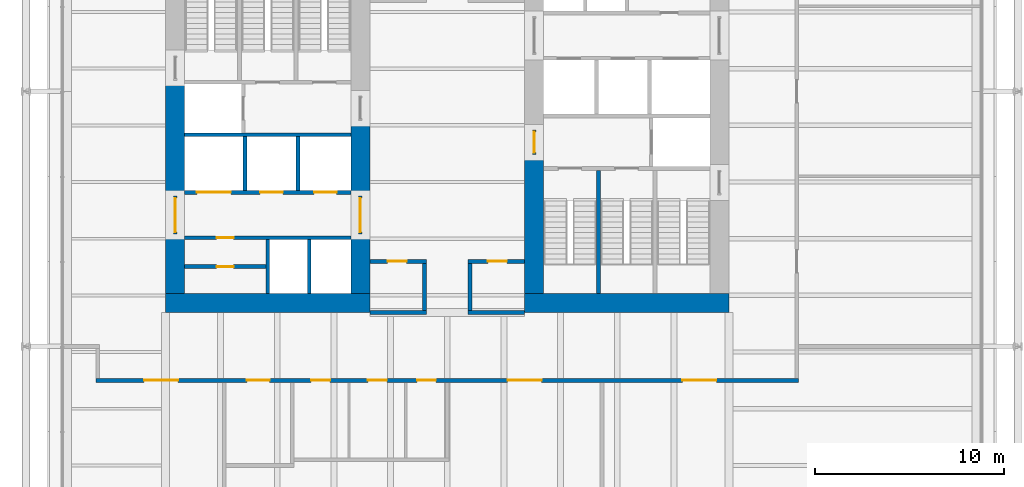
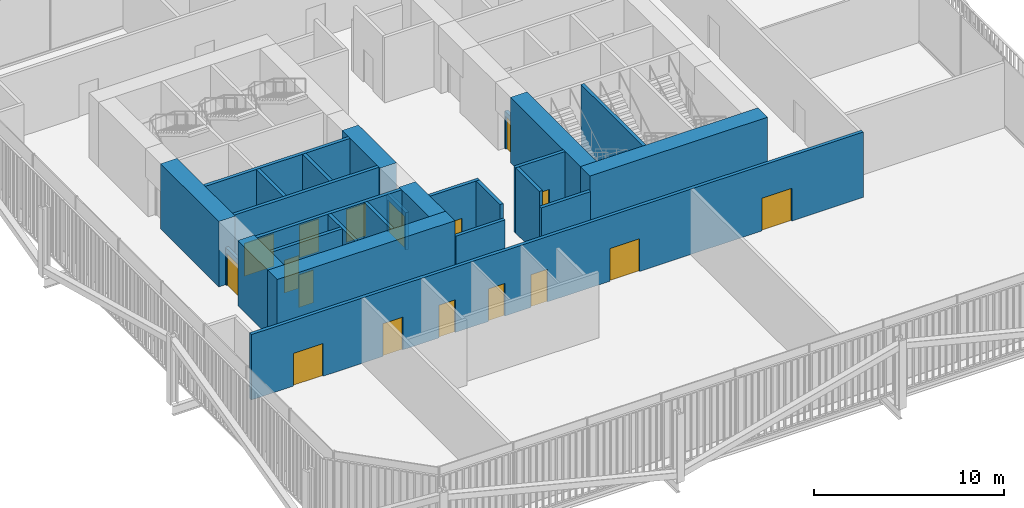
# One storey, part 17 of 21: 26 walls, 17 doors, 17 openings.
"""IFC4 building model written with IfcOpenShell, lengths in metres."""

from ifc_helpers import new_model, si_unit, direction, frame, frame_2d, origin, place, context, subcontext, project, spatial, rectangle, extrude, material, layer, layer_set, type_object, element, fill, save


model = new_model("IFC4")

# Units and contexts
model_context = context("Model", 3, precision=1e-05, world=origin(), true_north=direction((0.0, 1.0)))
body_context = subcontext(model_context, "Body", "Model", "MODEL_VIEW")
ifc_project = project(units=[si_unit("LENGTHUNIT", "METRE"), si_unit("AREAUNIT", "SQUARE_METRE"), si_unit("VOLUMEUNIT", "CUBIC_METRE"), si_unit("PLANEANGLEUNIT", "RADIAN"), si_unit("MASSUNIT", "GRAM", prefix="KILO")], contexts=[model_context])

# Site, building, storey
site_placement = place(None, origin())
site = spatial("IfcSite", under=ifc_project, at=site_placement, CompositionType="ELEMENT")
building_placement = place(site_placement, origin())
building = spatial("IfcBuilding", under=site, at=building_placement, Name="Millrace Tower", CompositionType="ELEMENT")
storey_placement = place(building_placement, frame((0.0, 0.0, 90.800048828125)))
storey = spatial("IfcBuildingStorey", under=building, at=storey_placement, Name="L20", CompositionType="ELEMENT", Elevation=90.800048828125)

# Walls
ifc_material_1 = material(Name="Concrete C80", Category="concrete")
ifc_layer_1 = layer(ifc_material_1, 1.0)
ifc_layer_set_1 = layer_set([ifc_layer_1], Name="Concrete C80")
wall_type_1 = type_object("IfcWallType", Name="Core wall 1000 Concrete C80", PredefinedType="SHEAR", material=ifc_layer_set_1)
wall_1_placement = place(storey_placement, frame((-14.89990234375, -9.39990234375, 0.0), z_axis=(0.0, 0.0, 1.0), x_axis=(1.0, 0.0, 0.0)))
element("IfcWall", 1, at=wall_1_placement, inside=storey, type_object=wall_type_1, Name="Core wall W L20", PredefinedType="SHEAR", context=body_context, shape_type="SweptSolid", body=[
    extrude(rectangle(XDim=10.7998046875, YDim=1.0, at=frame_2d((5.39990234375, 0.0))), origin(), (0.0, 0.0, 1.0), 4.199951171875),
])
wall_2_placement = place(storey_placement, frame((-14.39990234375, -8.89990234375, 0.0), z_axis=(0.0, 0.0, 1.0), x_axis=(0.0, 1.0, 0.0)))
element("IfcWall", 2, at=wall_2_placement, inside=storey, type_object=wall_type_1, Name="Core wall W L20", PredefinedType="SHEAR", context=body_context, shape_type="SweptSolid", body=[
    extrude(rectangle(XDim=3.14990234375, YDim=1.0, at=frame_2d((1.574951171875, 0.0))), origin(), (0.0, 0.0, 1.0), 4.199951171875),
])
wall_3_placement = place(storey_placement, frame((-14.39990234375, -3.75, 0.0), z_axis=(0.0, 0.0, 1.0), x_axis=(0.0, 1.0, 0.0)))
element("IfcWall", 3, at=wall_3_placement, inside=storey, type_object=wall_type_1, Name="Core wall W L20", PredefinedType="SHEAR", context=body_context, shape_type="SweptSolid", body=[
    extrude(rectangle(XDim=6.1298828125, YDim=1.0, at=frame_2d((3.06494140625, 0.0))), origin(), (0.0, 0.0, 1.0), 4.199951171875),
])
wall_4_placement = place(storey_placement, frame((-4.60009765625, -8.89990234375, 0.0), z_axis=(0.0, 0.0, 1.0), x_axis=(0.0, 1.0, 0.0)))
element("IfcWall", 4, at=wall_4_placement, inside=storey, type_object=wall_type_1, Name="Core wall W L20", PredefinedType="SHEAR", context=body_context, shape_type="SweptSolid", body=[
    extrude(rectangle(XDim=3.14990234375, YDim=1.0, at=frame_2d((1.574951171875, 0.0))), origin(), (0.0, 0.0, 1.0), 4.199951171875),
])
wall_5_placement = place(storey_placement, frame((-4.60009765625, -3.75, 0.0), z_axis=(0.0, 0.0, 1.0), x_axis=(0.0, 1.0, 0.0)))
element("IfcWall", 5, at=wall_5_placement, inside=storey, type_object=wall_type_1, Name="Core wall W L20", PredefinedType="SHEAR", context=body_context, shape_type="SweptSolid", body=[
    extrude(rectangle(XDim=4.0, YDim=1.0, at=frame_2d((2.0, 0.0))), origin(), (0.0, 0.0, 1.0), 4.199951171875),
])
wall_6_placement = place(storey_placement, frame((14.89990234375, -9.39990234375, 0.0), z_axis=(0.0, 0.0, 1.0), x_axis=(-1.0, 0.0, 0.0)))
element("IfcWall", 6, at=wall_6_placement, inside=storey, type_object=wall_type_1, Name="Core wall E L20", PredefinedType="SHEAR", context=body_context, shape_type="SweptSolid", body=[
    extrude(rectangle(XDim=10.7998046875, YDim=1.0, at=frame_2d((5.39990234375, 0.0))), origin(), (0.0, 0.0, 1.0), 4.199951171875),
])
wall_7_placement = place(storey_placement, frame((4.60009765625, -1.550048828125, 0.0), z_axis=(0.0, 0.0, 1.0), x_axis=(0.0, -1.0, 0.0)))
element("IfcWall", 7, at=wall_7_placement, inside=storey, type_object=wall_type_1, Name="Core wall E L20", PredefinedType="SHEAR", context=body_context, shape_type="SweptSolid", body=[
    extrude(rectangle(XDim=7.349853515625, YDim=1.0, at=frame_2d((3.6748046875, 0.0))), origin(), (0.0, 0.0, 1.0), 4.199951171875),
])

# Wall, openings, doors
ifc_material_2 = material(Name="Masonry partition, fire-rated", Category="masonry")
ifc_layer_2 = layer(ifc_material_2, 0.199951171875)
ifc_layer_set_2 = layer_set([ifc_layer_2], Name="Masonry partition, fire-rated")
wall_type_2 = type_object("IfcWallType", Name="Corridor wall 200", PredefinedType="PARTITIONING", material=ifc_layer_set_2)
wall_8_placement = place(storey_placement, frame((-18.60009765625, -13.5, 0.0), z_axis=(0.0, 0.0, 1.0), x_axis=(1.0, 0.0, 0.0)))
wall_8 = element("IfcWall", 8, at=wall_8_placement, inside=storey, type_object=wall_type_2, Name="Corridor wall L20", PredefinedType="PARTITIONING", context=body_context, shape_type="SweptSolid", body=[
    extrude(rectangle(XDim=37.2001953125, YDim=0.199951171875, at=frame_2d((18.60009765625, 0.0))), origin(), (0.0, 0.0, 1.0), 4.199951171875),
])
opening_1_placement = place(wall_8_placement, frame((2.550048828125, 0.0, 0.0)))
opening_1 = element("IfcOpeningElement", 9, at=opening_1_placement, cuts=wall_8, Name="Opening 20-P005", PredefinedType="OPENING", context=body_context, shape_type="SweptSolid", body=[
    extrude(rectangle(XDim=1.800048828125, YDim=2.10009765625, at=frame_2d((0.89990234375, 1.050048828125))), frame((0.0, 0.10986328125, 0.0), z_axis=(0.0, -1.0, 0.0), x_axis=(1.0, 0.0, 0.0)), (0.0, 0.0, 1.0), 0.219970703125),
])
opening_2_placement = place(wall_8_placement, frame((21.794921875, 0.0, 0.0)))
opening_2 = element("IfcOpeningElement", 10, at=opening_2_placement, cuts=wall_8, Name="Opening 20-P006", PredefinedType="OPENING", context=body_context, shape_type="SweptSolid", body=[
    extrude(rectangle(XDim=1.800048828125, YDim=2.10009765625, at=frame_2d((0.89990234375, 1.050048828125))), frame((0.0, 0.10986328125, 0.0), z_axis=(0.0, -1.0, 0.0), x_axis=(1.0, 0.0, 0.0)), (0.0, 0.0, 1.0), 0.219970703125),
])
opening_3_placement = place(wall_8_placement, frame((31.044921875, 0.0, 0.0)))
opening_3 = element("IfcOpeningElement", 11, at=opening_3_placement, cuts=wall_8, Name="Opening 20-P007", PredefinedType="OPENING", context=body_context, shape_type="SweptSolid", body=[
    extrude(rectangle(XDim=1.800048828125, YDim=2.10009765625, at=frame_2d((0.89990234375, 1.050048828125))), frame((0.0, 0.10986328125, 0.0), z_axis=(0.0, -1.0, 0.0), x_axis=(1.0, 0.0, 0.0)), (0.0, 0.0, 1.0), 0.219970703125),
])
opening_4_placement = place(wall_8_placement, frame((8.0, 0.0, 0.0)))
opening_4 = element("IfcOpeningElement", 12, at=opening_4_placement, cuts=wall_8, Name="Opening 20-P008", PredefinedType="OPENING", context=body_context, shape_type="SweptSolid", body=[
    extrude(rectangle(XDim=1.199951171875, YDim=2.10009765625, at=frame_2d((0.60009765625, 1.050048828125))), frame((0.0, 0.10986328125, 0.0), z_axis=(0.0, -1.0, 0.0), x_axis=(1.0, 0.0, 0.0)), (0.0, 0.0, 1.0), 0.219970703125),
])
opening_5_placement = place(wall_8_placement, frame((11.39990234375, 0.0, 0.0)))
opening_5 = element("IfcOpeningElement", 13, at=opening_5_placement, cuts=wall_8, Name="Opening 20-P016", PredefinedType="OPENING", context=body_context, shape_type="SweptSolid", body=[
    extrude(rectangle(XDim=1.0, YDim=2.10009765625, at=frame_2d((0.5, 1.050048828125))), frame((0.0, 0.10986328125, 0.0), z_axis=(0.0, -1.0, 0.0), x_axis=(1.0, 0.0, 0.0)), (0.0, 0.0, 1.0), 0.219970703125),
])
opening_6_placement = place(wall_8_placement, frame((14.39990234375, 0.0, 0.0)))
opening_6 = element("IfcOpeningElement", 14, at=opening_6_placement, cuts=wall_8, Name="Opening 20-P017", PredefinedType="OPENING", context=body_context, shape_type="SweptSolid", body=[
    extrude(rectangle(XDim=1.0, YDim=2.10009765625, at=frame_2d((0.5, 1.050048828125))), frame((0.0, 0.10986328125, 0.0), z_axis=(0.0, -1.0, 0.0), x_axis=(1.0, 0.0, 0.0)), (0.0, 0.0, 1.0), 0.219970703125),
])
opening_7_placement = place(wall_8_placement, frame((17.0, 0.0, 0.0)))
opening_7 = element("IfcOpeningElement", 15, at=opening_7_placement, cuts=wall_8, Name="Opening 20-P018", PredefinedType="OPENING", context=body_context, shape_type="SweptSolid", body=[
    extrude(rectangle(XDim=1.0, YDim=2.10009765625, at=frame_2d((0.5, 1.050048828125))), frame((0.0, 0.10986328125, 0.0), z_axis=(0.0, -1.0, 0.0), x_axis=(1.0, 0.0, 0.0)), (0.0, 0.0, 1.0), 0.219970703125),
])
ifc_material_3 = material(Name="Steel door set, fire-rated", Category="steel")
door_type_1 = type_object("IfcDoorType", Name="Corridor door 1000 x 2100", OperationType="SINGLE_SWING_LEFT", PredefinedType="DOOR", material=ifc_material_3)
door_1_placement = place(opening_5_placement, frame((1.0, 0.0, 0.0), z_axis=(0.0, 0.0, 1.0), x_axis=(-1.0, 0.0, 0.0)))
door_1 = element("IfcDoor", 16, at=door_1_placement, inside=storey, type_object=door_type_1, Name="Door 20-P016", OperationType="SINGLE_SWING_RIGHT", OverallHeight=2.10009765625, OverallWidth=1.0, PredefinedType="DOOR", context=body_context, shape_type="SweptSolid", body=[
    extrude(rectangle(XDim=1.0, YDim=2.10009765625, at=frame_2d((0.5, 1.050048828125))), frame((0.0, 0.02490234375, 0.0), z_axis=(0.0, -1.0, 0.0), x_axis=(1.0, 0.0, 0.0)), (0.0, 0.0, 1.0), 0.050048828125),
])
fill(opening_5, door_1)
door_2_placement = place(opening_6_placement, frame((1.0, 0.0, 0.0), z_axis=(0.0, 0.0, 1.0), x_axis=(-1.0, 0.0, 0.0)))
door_2 = element("IfcDoor", 17, at=door_2_placement, inside=storey, type_object=door_type_1, Name="Door 20-P017", OperationType="SINGLE_SWING_RIGHT", OverallHeight=2.10009765625, OverallWidth=1.0, PredefinedType="DOOR", context=body_context, shape_type="SweptSolid", body=[
    extrude(rectangle(XDim=1.0, YDim=2.10009765625, at=frame_2d((0.5, 1.050048828125))), frame((0.0, 0.02490234375, 0.0), z_axis=(0.0, -1.0, 0.0), x_axis=(1.0, 0.0, 0.0)), (0.0, 0.0, 1.0), 0.050048828125),
])
fill(opening_6, door_2)
door_3_placement = place(opening_7_placement, frame((1.0, 0.0, 0.0), z_axis=(0.0, 0.0, 1.0), x_axis=(-1.0, 0.0, 0.0)))
door_3 = element("IfcDoor", 18, at=door_3_placement, inside=storey, type_object=door_type_1, Name="Door 20-P018", OperationType="SINGLE_SWING_RIGHT", OverallHeight=2.10009765625, OverallWidth=1.0, PredefinedType="DOOR", context=body_context, shape_type="SweptSolid", body=[
    extrude(rectangle(XDim=1.0, YDim=2.10009765625, at=frame_2d((0.5, 1.050048828125))), frame((0.0, 0.02490234375, 0.0), z_axis=(0.0, -1.0, 0.0), x_axis=(1.0, 0.0, 0.0)), (0.0, 0.0, 1.0), 0.050048828125),
])
fill(opening_7, door_3)
ifc_material_4 = material(Name="Steel door set, fire-rated", Category="steel")
door_type_2 = type_object("IfcDoorType", Name="Data hall door 1200 x 2100", OperationType="SINGLE_SWING_LEFT", PredefinedType="DOOR", material=ifc_material_4)
door_4_placement = place(opening_4_placement, frame((1.199951171875, 0.0, 0.0), z_axis=(0.0, 0.0, 1.0), x_axis=(-1.0, 0.0, 0.0)))
door_4 = element("IfcDoor", 19, at=door_4_placement, inside=storey, type_object=door_type_2, Name="Door 20-P008", OperationType="SINGLE_SWING_RIGHT", OverallHeight=2.10009765625, OverallWidth=1.199951171875, PredefinedType="DOOR", context=body_context, shape_type="SweptSolid", body=[
    extrude(rectangle(XDim=1.199951171875, YDim=2.10009765625, at=frame_2d((0.60009765625, 1.050048828125))), frame((0.0, 0.02490234375, 0.0), z_axis=(0.0, -1.0, 0.0), x_axis=(1.0, 0.0, 0.0)), (0.0, 0.0, 1.0), 0.050048828125),
])
fill(opening_4, door_4)
ifc_material_5 = material(Name="Steel door set, fire-rated", Category="steel")
door_type_3 = type_object("IfcDoorType", Name="Data hall door 1800 x 2100", OperationType="DOUBLE_DOOR_SINGLE_SWING", PredefinedType="DOOR", material=ifc_material_5)
door_5_placement = place(opening_1_placement, frame((1.800048828125, 0.0, 0.0), z_axis=(0.0, 0.0, 1.0), x_axis=(-1.0, 0.0, 0.0)))
door_5 = element("IfcDoor", 20, at=door_5_placement, inside=storey, type_object=door_type_3, Name="Door 20-P005", OperationType="DOUBLE_DOOR_SINGLE_SWING", OverallHeight=2.10009765625, OverallWidth=1.800048828125, PredefinedType="DOOR", context=body_context, shape_type="SweptSolid", body=[
    extrude(rectangle(XDim=1.800048828125, YDim=2.10009765625, at=frame_2d((0.89990234375, 1.050048828125))), frame((0.0, 0.02490234375, 0.0), z_axis=(0.0, -1.0, 0.0), x_axis=(1.0, 0.0, 0.0)), (0.0, 0.0, 1.0), 0.050048828125),
])
fill(opening_1, door_5)
door_6_placement = place(opening_2_placement, frame((1.800048828125, 0.0, 0.0), z_axis=(0.0, 0.0, 1.0), x_axis=(-1.0, 0.0, 0.0)))
door_6 = element("IfcDoor", 21, at=door_6_placement, inside=storey, type_object=door_type_3, Name="Door 20-P006", OperationType="DOUBLE_DOOR_SINGLE_SWING", OverallHeight=2.10009765625, OverallWidth=1.800048828125, PredefinedType="DOOR", context=body_context, shape_type="SweptSolid", body=[
    extrude(rectangle(XDim=1.800048828125, YDim=2.10009765625, at=frame_2d((0.89990234375, 1.050048828125))), frame((0.0, 0.02490234375, 0.0), z_axis=(0.0, -1.0, 0.0), x_axis=(1.0, 0.0, 0.0)), (0.0, 0.0, 1.0), 0.050048828125),
])
fill(opening_2, door_6)
door_7_placement = place(opening_3_placement, frame((1.800048828125, 0.0, 0.0), z_axis=(0.0, 0.0, 1.0), x_axis=(-1.0, 0.0, 0.0)))
door_7 = element("IfcDoor", 22, at=door_7_placement, inside=storey, type_object=door_type_3, Name="Door 20-P007", OperationType="DOUBLE_DOOR_SINGLE_SWING", OverallHeight=2.10009765625, OverallWidth=1.800048828125, PredefinedType="DOOR", context=body_context, shape_type="SweptSolid", body=[
    extrude(rectangle(XDim=1.800048828125, YDim=2.10009765625, at=frame_2d((0.89990234375, 1.050048828125))), frame((0.0, 0.02490234375, 0.0), z_axis=(0.0, -1.0, 0.0), x_axis=(1.0, 0.0, 0.0)), (0.0, 0.0, 1.0), 0.050048828125),
])
fill(opening_3, door_7)

# Walls
for number, where, z_axis, x_axis, name in (
    (23, (-4.10009765625, -9.89990234375, 0.0), (0.0, 0.0, 1.0), (1.0, 0.0, 0.0), "Corridor wall L20"),
    (24, (1.10009765625, -9.89990234375, 0.0), (0.0, 0.0, 1.0), (1.0, 0.0, 0.0), "Corridor wall L20"),
):
    element("IfcWall", number, at=place(storey_placement, frame(where, z_axis=z_axis, x_axis=x_axis)), inside=storey, type_object=wall_type_2, Name=name, PredefinedType="PARTITIONING", context=body_context, shape_type="SweptSolid", body=[
        extrude(rectangle(XDim=3.0, YDim=0.199951171875, at=frame_2d((1.5, 0.0))), origin(), (0.0, 0.0, 1.0), 3.2626953125),
    ])

# Wall, opening, door
wall_9_placement = place(storey_placement, frame((-4.10009765625, -7.199951171875, 0.0), z_axis=(0.0, 0.0, 1.0), x_axis=(1.0, 0.0, 0.0)))
wall_9 = element("IfcWall", 25, at=wall_9_placement, inside=storey, type_object=wall_type_2, Name="Corridor wall L20", PredefinedType="PARTITIONING", context=body_context, shape_type="SweptSolid", body=[
    extrude(rectangle(XDim=3.0, YDim=0.199951171875, at=frame_2d((1.5, 0.0))), origin(), (0.0, 0.0, 1.0), 4.199951171875),
])
opening_8_placement = place(wall_9_placement, frame((0.949951171875, 0.0, 0.0)))
opening_8 = element("IfcOpeningElement", 26, at=opening_8_placement, cuts=wall_9, Name="Opening 20-P003", PredefinedType="OPENING", context=body_context, shape_type="SweptSolid", body=[
    extrude(rectangle(XDim=1.0, YDim=2.10009765625, at=frame_2d((0.5, 1.050048828125))), frame((0.0, 0.10986328125, 0.0), z_axis=(0.0, -1.0, 0.0), x_axis=(1.0, 0.0, 0.0)), (0.0, 0.0, 1.0), 0.219970703125),
])
door_8_placement = place(opening_8_placement, frame((1.0, 0.0, 0.0), z_axis=(0.0, 0.0, 1.0), x_axis=(-1.0, 0.0, 0.0)))
door_8 = element("IfcDoor", 27, at=door_8_placement, inside=storey, type_object=door_type_1, Name="Door 20-P003", OperationType="SINGLE_SWING_LEFT", OverallHeight=2.10009765625, OverallWidth=1.0, PredefinedType="DOOR", context=body_context, shape_type="SweptSolid", body=[
    extrude(rectangle(XDim=1.0, YDim=2.10009765625, at=frame_2d((0.5, 1.050048828125))), frame((0.0, 0.02490234375, 0.0), z_axis=(0.0, -1.0, 0.0), x_axis=(1.0, 0.0, 0.0)), (0.0, 0.0, 1.0), 0.050048828125),
])
fill(opening_8, door_8)

wall_10_placement = place(storey_placement, frame((1.10009765625, -7.199951171875, 0.0), z_axis=(0.0, 0.0, 1.0), x_axis=(1.0, 0.0, 0.0)))
wall_10 = element("IfcWall", 28, at=wall_10_placement, inside=storey, type_object=wall_type_2, Name="Corridor wall L20", PredefinedType="PARTITIONING", context=body_context, shape_type="SweptSolid", body=[
    extrude(rectangle(XDim=3.0, YDim=0.199951171875, at=frame_2d((1.5, 0.0))), origin(), (0.0, 0.0, 1.0), 4.199951171875),
])
opening_9_placement = place(wall_10_placement, frame((1.050048828125, 0.0, 0.0)))
opening_9 = element("IfcOpeningElement", 29, at=opening_9_placement, cuts=wall_10, Name="Opening 20-P004", PredefinedType="OPENING", context=body_context, shape_type="SweptSolid", body=[
    extrude(rectangle(XDim=1.0, YDim=2.10009765625, at=frame_2d((0.5, 1.050048828125))), frame((0.0, 0.10986328125, 0.0), z_axis=(0.0, -1.0, 0.0), x_axis=(1.0, 0.0, 0.0)), (0.0, 0.0, 1.0), 0.219970703125),
])
door_9_placement = place(opening_9_placement, frame((1.0, 0.0, 0.0), z_axis=(0.0, 0.0, 1.0), x_axis=(-1.0, 0.0, 0.0)))
door_9 = element("IfcDoor", 30, at=door_9_placement, inside=storey, type_object=door_type_1, Name="Door 20-P004", OperationType="SINGLE_SWING_LEFT", OverallHeight=2.10009765625, OverallWidth=1.0, PredefinedType="DOOR", context=body_context, shape_type="SweptSolid", body=[
    extrude(rectangle(XDim=1.0, YDim=2.10009765625, at=frame_2d((0.5, 1.050048828125))), frame((0.0, 0.02490234375, 0.0), z_axis=(0.0, -1.0, 0.0), x_axis=(1.0, 0.0, 0.0)), (0.0, 0.0, 1.0), 0.050048828125),
])
fill(opening_9, door_9)

# Walls
for number, where, z_axis, x_axis, name in (
    (31, (1.199951171875, -9.800048828125, 0.0), (0.0, 0.0, 1.0), (0.0, 1.0, 0.0), "Corridor wall L20"),
    (32, (-1.199951171875, -9.800048828125, 0.0), (0.0, 0.0, 1.0), (0.0, 1.0, 0.0), "Corridor wall L20"),
):
    element("IfcWall", number, at=place(storey_placement, frame(where, z_axis=z_axis, x_axis=x_axis)), inside=storey, type_object=wall_type_2, Name=name, PredefinedType="PARTITIONING", context=body_context, shape_type="SweptSolid", body=[
        extrude(rectangle(XDim=2.5, YDim=0.199951171875, at=frame_2d((1.25, 0.0))), origin(), (0.0, 0.0, 1.0), 4.199951171875),
    ])

# Wall, opening, door
ifc_material_6 = material(Name="Masonry partition, fire-rated", Category="masonry")
ifc_layer_3 = layer(ifc_material_6, 0.199951171875)
ifc_layer_set_3 = layer_set([ifc_layer_3], Name="Masonry partition, fire-rated")
wall_type_3 = type_object("IfcWallType", Name="Lift shaft wall 200", PredefinedType="PARTITIONING", material=ifc_layer_set_3)
wall_11_placement = place(storey_placement, frame((-13.89990234375, -5.949951171875, 0.0), z_axis=(0.0, 0.0, 1.0), x_axis=(1.0, 0.0, 0.0)))
wall_11 = element("IfcWall", 33, at=wall_11_placement, inside=storey, type_object=wall_type_3, Name="Lift shaft wall W L20", PredefinedType="PARTITIONING", context=body_context, shape_type="SweptSolid", body=[
    extrude(rectangle(XDim=8.7998046875, YDim=0.199951171875, at=frame_2d((4.39990234375, 0.0))), origin(), (0.0, 0.0, 1.0), 4.199951171875),
])
opening_10_placement = place(wall_11_placement, frame((1.699951171875, 0.0, 0.0)))
opening_10 = element("IfcOpeningElement", 34, at=opening_10_placement, cuts=wall_11, Name="Opening 20-C005", PredefinedType="OPENING", context=body_context, shape_type="SweptSolid", body=[
    extrude(rectangle(XDim=0.89990234375, YDim=2.10009765625, at=frame_2d((0.449951171875, 1.050048828125))), frame((0.0, 0.10986328125, 0.0), z_axis=(0.0, -1.0, 0.0), x_axis=(1.0, 0.0, 0.0)), (0.0, 0.0, 1.0), 0.219970703125),
])
ifc_material_7 = material(Name="Steel door, fire-rated", Category="steel")
door_type_4 = type_object("IfcDoorType", Name="Service room door 900 x 2100", OperationType="SINGLE_SWING_LEFT", PredefinedType="DOOR", material=ifc_material_7)
door_10_placement = place(opening_10_placement, origin())
door_10 = element("IfcDoor", 35, at=door_10_placement, inside=storey, type_object=door_type_4, Name="Service room door 20-C005", OperationType="SINGLE_SWING_LEFT", OverallHeight=2.10009765625, OverallWidth=0.89990234375, PredefinedType="DOOR", context=body_context, shape_type="SweptSolid", body=[
    extrude(rectangle(XDim=0.89990234375, YDim=2.10009765625, at=frame_2d((0.449951171875, 1.050048828125))), frame((0.0, 0.02490234375, 0.0), z_axis=(0.0, -1.0, 0.0), x_axis=(1.0, 0.0, 0.0)), (0.0, 0.0, 1.0), 0.050048828125),
])
fill(opening_10, door_10)

# Wall, openings, doors
wall_12_placement = place(storey_placement, frame((-13.89990234375, -3.550048828125, 0.0), z_axis=(0.0, 0.0, 1.0), x_axis=(1.0, 0.0, 0.0)))
wall_12 = element("IfcWall", 36, at=wall_12_placement, inside=storey, type_object=wall_type_3, Name="Lift shaft wall W L20", PredefinedType="PARTITIONING", context=body_context, shape_type="SweptSolid", body=[
    extrude(rectangle(XDim=8.7998046875, YDim=0.199951171875, at=frame_2d((4.39990234375, 0.0))), origin(), (0.0, 0.0, 1.0), 4.199951171875),
])
opening_11_placement = place(wall_12_placement, frame((0.64990234375, 0.0, 0.0)))
opening_11 = element("IfcOpeningElement", 37, at=opening_11_placement, cuts=wall_12, Name="Opening 20-LD05", PredefinedType="OPENING", context=body_context, shape_type="SweptSolid", body=[
    extrude(rectangle(XDim=1.800048828125, YDim=2.10009765625, at=frame_2d((0.89990234375, 1.050048828125))), frame((0.0, 0.10986328125, 0.0), z_axis=(0.0, -1.0, 0.0), x_axis=(1.0, 0.0, 0.0)), (0.0, 0.0, 1.0), 0.219970703125),
])
opening_12_placement = place(wall_12_placement, frame((4.0, 0.0, 0.0)))
opening_12 = element("IfcOpeningElement", 38, at=opening_12_placement, cuts=wall_12, Name="Opening 20-LD06", PredefinedType="OPENING", context=body_context, shape_type="SweptSolid", body=[
    extrude(rectangle(XDim=1.199951171875, YDim=2.10009765625, at=frame_2d((0.60009765625, 1.050048828125))), frame((0.0, 0.10986328125, 0.0), z_axis=(0.0, -1.0, 0.0), x_axis=(1.0, 0.0, 0.0)), (0.0, 0.0, 1.0), 0.219970703125),
])
opening_13_placement = place(wall_12_placement, frame((6.85009765625, 0.0, 0.0)))
opening_13 = element("IfcOpeningElement", 39, at=opening_13_placement, cuts=wall_12, Name="Opening 20-LD07", PredefinedType="OPENING", context=body_context, shape_type="SweptSolid", body=[
    extrude(rectangle(XDim=1.199951171875, YDim=2.10009765625, at=frame_2d((0.60009765625, 1.050048828125))), frame((0.0, 0.10986328125, 0.0), z_axis=(0.0, -1.0, 0.0), x_axis=(1.0, 0.0, 0.0)), (0.0, 0.0, 1.0), 0.219970703125),
])
ifc_material_8 = material(Name="Stainless steel, fire-rated", Category="steel")
door_type_5 = type_object("IfcDoorType", Name="Lift landing door 1200 x 2100", OperationType="DOUBLE_DOOR_SLIDING", PredefinedType="DOOR", material=ifc_material_8)
door_11_placement = place(opening_12_placement, origin())
door_11 = element("IfcDoor", 40, at=door_11_placement, inside=storey, type_object=door_type_5, Name="Lift landing door LF6 L20", OperationType="DOUBLE_DOOR_SLIDING", OverallHeight=2.10009765625, OverallWidth=1.199951171875, PredefinedType="DOOR", context=body_context, shape_type="SweptSolid", body=[
    extrude(rectangle(XDim=1.199951171875, YDim=2.10009765625, at=frame_2d((0.60009765625, 1.050048828125))), frame((0.0, 0.02490234375, 0.0), z_axis=(0.0, -1.0, 0.0), x_axis=(1.0, 0.0, 0.0)), (0.0, 0.0, 1.0), 0.050048828125),
])
fill(opening_12, door_11)
door_12_placement = place(opening_13_placement, origin())
door_12 = element("IfcDoor", 41, at=door_12_placement, inside=storey, type_object=door_type_5, Name="Lift landing door LF7 L20", OperationType="DOUBLE_DOOR_SLIDING", OverallHeight=2.10009765625, OverallWidth=1.199951171875, PredefinedType="DOOR", context=body_context, shape_type="SweptSolid", body=[
    extrude(rectangle(XDim=1.199951171875, YDim=2.10009765625, at=frame_2d((0.60009765625, 1.050048828125))), frame((0.0, 0.02490234375, 0.0), z_axis=(0.0, -1.0, 0.0), x_axis=(1.0, 0.0, 0.0)), (0.0, 0.0, 1.0), 0.050048828125),
])
fill(opening_13, door_12)
ifc_material_9 = material(Name="Stainless steel, fire-rated", Category="steel")
door_type_6 = type_object("IfcDoorType", Name="Lift landing door 1800 x 2100", OperationType="DOUBLE_DOOR_SLIDING", PredefinedType="DOOR", material=ifc_material_9)
door_13_placement = place(opening_11_placement, origin())
door_13 = element("IfcDoor", 42, at=door_13_placement, inside=storey, type_object=door_type_6, Name="Lift landing door LF5 L20", OperationType="DOUBLE_DOOR_SLIDING", OverallHeight=2.10009765625, OverallWidth=1.800048828125, PredefinedType="DOOR", context=body_context, shape_type="SweptSolid", body=[
    extrude(rectangle(XDim=1.800048828125, YDim=2.10009765625, at=frame_2d((0.89990234375, 1.050048828125))), frame((0.0, 0.02490234375, 0.0), z_axis=(0.0, -1.0, 0.0), x_axis=(1.0, 0.0, 0.0)), (0.0, 0.0, 1.0), 0.050048828125),
])
fill(opening_11, door_13)

# Walls
wall_13_placement = place(storey_placement, frame((-13.89990234375, -0.5, 0.0), z_axis=(0.0, 0.0, 1.0), x_axis=(1.0, 0.0, 0.0)))
element("IfcWall", 43, at=wall_13_placement, inside=storey, type_object=wall_type_3, Name="Lift shaft wall W L20", PredefinedType="PARTITIONING", context=body_context, shape_type="SweptSolid", body=[
    extrude(rectangle(XDim=8.7998046875, YDim=0.199951171875, at=frame_2d((4.39990234375, 0.0))), origin(), (0.0, 0.0, 1.0), 4.199951171875),
])
for number, where, z_axis, x_axis, name in (
    (44, (-9.5, -8.89990234375, 0.0), (0.0, 0.0, 1.0), (0.0, 1.0, 0.0), "Lift shaft wall W L20"),
    (45, (-7.300048828125, -8.89990234375, 0.0), (0.0, 0.0, 1.0), (0.0, 1.0, 0.0), "Lift shaft wall W L20"),
    (46, (-10.699951171875, -3.449951171875, 0.0), (0.0, 0.0, 1.0), (0.0, 1.0, 0.0), "Lift shaft wall W L20"),
    (47, (-7.89990234375, -3.449951171875, 0.0), (0.0, 0.0, 1.0), (0.0, 1.0, 0.0), "Lift shaft wall W L20"),
):
    element("IfcWall", number, at=place(storey_placement, frame(where, z_axis=z_axis, x_axis=x_axis)), inside=storey, type_object=wall_type_3, Name=name, PredefinedType="PARTITIONING", context=body_context, shape_type="SweptSolid", body=[
        extrude(rectangle(XDim=2.849853515625, YDim=0.199951171875, at=frame_2d((1.4248046875, 0.0))), origin(), (0.0, 0.0, 1.0), 4.199951171875),
    ])

# Wall, opening, door
ifc_material_10 = material(Name="Masonry partition, fire-rated", Category="masonry")
ifc_layer_4 = layer(ifc_material_10, 0.199951171875)
ifc_layer_set_4 = layer_set([ifc_layer_4], Name="Masonry partition, fire-rated")
wall_type_4 = type_object("IfcWallType", Name="Lobby wall 200", PredefinedType="PARTITIONING", material=ifc_layer_set_4)
wall_14_placement = place(storey_placement, frame((-14.39990234375, -5.75, 0.0), z_axis=(0.0, 0.0, 1.0), x_axis=(0.0, 1.0, 0.0)))
wall_14 = element("IfcWall", 48, at=wall_14_placement, inside=storey, type_object=wall_type_4, Name="Lobby wall W L20", PredefinedType="PARTITIONING", context=body_context, shape_type="SweptSolid", body=[
    extrude(rectangle(XDim=2.0, YDim=0.199951171875, at=frame_2d((1.0, 0.0))), origin(), (0.0, 0.0, 1.0), 2.39990234375),
])
opening_14_placement = place(wall_14_placement, frame((0.10009765625, 0.0, 0.0)))
opening_14 = element("IfcOpeningElement", 49, at=opening_14_placement, cuts=wall_14, Name="Opening 20-C001", PredefinedType="OPENING", context=body_context, shape_type="SweptSolid", body=[
    extrude(rectangle(XDim=1.800048828125, YDim=2.10009765625, at=frame_2d((0.89990234375, 1.050048828125))), frame((0.0, 0.10986328125, 0.0), z_axis=(0.0, -1.0, 0.0), x_axis=(1.0, 0.0, 0.0)), (0.0, 0.0, 1.0), 0.219970703125),
])
ifc_material_11 = material(Name="Steel door, fire-rated", Category="steel")
door_type_7 = type_object("IfcDoorType", Name="Lobby door 1800 x 2100", OperationType="DOUBLE_DOOR_SINGLE_SWING", PredefinedType="DOOR", material=ifc_material_11)
door_14_placement = place(opening_14_placement, origin())
door_14 = element("IfcDoor", 50, at=door_14_placement, inside=storey, type_object=door_type_7, Name="Lobby door 20-C001", OperationType="DOUBLE_DOOR_SINGLE_SWING", OverallHeight=2.10009765625, OverallWidth=1.800048828125, PredefinedType="DOOR", context=body_context, shape_type="SweptSolid", body=[
    extrude(rectangle(XDim=1.800048828125, YDim=2.10009765625, at=frame_2d((0.89990234375, 1.050048828125))), frame((0.0, 0.02490234375, 0.0), z_axis=(0.0, -1.0, 0.0), x_axis=(1.0, 0.0, 0.0)), (0.0, 0.0, 1.0), 0.050048828125),
])
fill(opening_14, door_14)

wall_15_placement = place(storey_placement, frame((-4.60009765625, -5.75, 0.0), z_axis=(0.0, 0.0, 1.0), x_axis=(0.0, 1.0, 0.0)))
wall_15 = element("IfcWall", 51, at=wall_15_placement, inside=storey, type_object=wall_type_4, Name="Lobby wall W L20", PredefinedType="PARTITIONING", context=body_context, shape_type="SweptSolid", body=[
    extrude(rectangle(XDim=2.0, YDim=0.199951171875, at=frame_2d((1.0, 0.0))), origin(), (0.0, 0.0, 1.0), 2.39990234375),
])
opening_15_placement = place(wall_15_placement, frame((0.10009765625, 0.0, 0.0)))
opening_15 = element("IfcOpeningElement", 52, at=opening_15_placement, cuts=wall_15, Name="Opening 20-C003", PredefinedType="OPENING", context=body_context, shape_type="SweptSolid", body=[
    extrude(rectangle(XDim=1.800048828125, YDim=2.10009765625, at=frame_2d((0.89990234375, 1.050048828125))), frame((0.0, 0.10986328125, 0.0), z_axis=(0.0, -1.0, 0.0), x_axis=(1.0, 0.0, 0.0)), (0.0, 0.0, 1.0), 0.219970703125),
])
door_15_placement = place(opening_15_placement, origin())
door_15 = element("IfcDoor", 53, at=door_15_placement, inside=storey, type_object=door_type_7, Name="Lobby door 20-C003", OperationType="DOUBLE_DOOR_SINGLE_SWING", OverallHeight=2.10009765625, OverallWidth=1.800048828125, PredefinedType="DOOR", context=body_context, shape_type="SweptSolid", body=[
    extrude(rectangle(XDim=1.800048828125, YDim=2.10009765625, at=frame_2d((0.89990234375, 1.050048828125))), frame((0.0, 0.02490234375, 0.0), z_axis=(0.0, -1.0, 0.0), x_axis=(1.0, 0.0, 0.0)), (0.0, 0.0, 1.0), 0.050048828125),
])
fill(opening_15, door_15)

wall_16_placement = place(storey_placement, frame((4.60009765625, -0.25, 0.0), z_axis=(0.0, 0.0, 1.0), x_axis=(0.0, -1.0, 0.0)))
wall_16 = element("IfcWall", 54, at=wall_16_placement, inside=storey, type_object=wall_type_4, Name="Lobby wall E L20", PredefinedType="PARTITIONING", context=body_context, shape_type="SweptSolid", body=[
    extrude(rectangle(XDim=1.300048828125, YDim=0.199951171875, at=frame_2d((0.64990234375, 0.0))), origin(), (0.0, 0.0, 1.0), 2.39990234375),
])
opening_16_placement = place(wall_16_placement, frame((0.10009765625, 0.0, 0.0)))
opening_16 = element("IfcOpeningElement", 55, at=opening_16_placement, cuts=wall_16, Name="Opening 20-C012", PredefinedType="OPENING", context=body_context, shape_type="SweptSolid", body=[
    extrude(rectangle(XDim=1.10009765625, YDim=2.10009765625, at=frame_2d((0.550048828125, 1.050048828125))), frame((0.0, 0.10986328125, 0.0), z_axis=(0.0, -1.0, 0.0), x_axis=(1.0, 0.0, 0.0)), (0.0, 0.0, 1.0), 0.219970703125),
])
ifc_material_12 = material(Name="Steel door, fire-rated", Category="steel")
door_type_8 = type_object("IfcDoorType", Name="Lobby door 1100 x 2100", OperationType="SINGLE_SWING_LEFT", PredefinedType="DOOR", material=ifc_material_12)
door_16_placement = place(opening_16_placement, origin())
door_16 = element("IfcDoor", 56, at=door_16_placement, inside=storey, type_object=door_type_8, Name="Lobby door 20-C012", OperationType="SINGLE_SWING_RIGHT", OverallHeight=2.10009765625, OverallWidth=1.10009765625, PredefinedType="DOOR", context=body_context, shape_type="SweptSolid", body=[
    extrude(rectangle(XDim=1.10009765625, YDim=2.10009765625, at=frame_2d((0.550048828125, 1.050048828125))), frame((0.0, 0.02490234375, 0.0), z_axis=(0.0, -1.0, 0.0), x_axis=(1.0, 0.0, 0.0)), (0.0, 0.0, 1.0), 0.050048828125),
])
fill(opening_16, door_16)

ifc_material_13 = material(Name="Masonry partition, fire-rated", Category="masonry")
ifc_layer_5 = layer(ifc_material_13, 0.199951171875)
ifc_layer_set_5 = layer_set([ifc_layer_5], Name="Masonry partition, fire-rated")
wall_type_5 = type_object("IfcWallType", Name="Room partition 200", PredefinedType="PARTITIONING", material=ifc_layer_set_5)
wall_17_placement = place(storey_placement, frame((-13.89990234375, -7.47509765625, 0.0), z_axis=(0.0, 0.0, 1.0), x_axis=(1.0, 0.0, 0.0)))
wall_17 = element("IfcWall", 57, at=wall_17_placement, inside=storey, type_object=wall_type_5, Name="Room partition W L20", PredefinedType="PARTITIONING", context=body_context, shape_type="SweptSolid", body=[
    extrude(rectangle(XDim=4.2998046875, YDim=0.199951171875, at=frame_2d((2.14990234375, 0.0))), origin(), (0.0, 0.0, 1.0), 4.199951171875),
])
opening_17_placement = place(wall_17_placement, frame((1.699951171875, 0.0, 0.0)))
opening_17 = element("IfcOpeningElement", 58, at=opening_17_placement, cuts=wall_17, Name="Opening 20-C006", PredefinedType="OPENING", context=body_context, shape_type="SweptSolid", body=[
    extrude(rectangle(XDim=0.89990234375, YDim=2.10009765625, at=frame_2d((0.449951171875, 1.050048828125))), frame((0.0, 0.10986328125, 0.0), z_axis=(0.0, -1.0, 0.0), x_axis=(1.0, 0.0, 0.0)), (0.0, 0.0, 1.0), 0.219970703125),
])
door_17_placement = place(opening_17_placement, frame((0.89990234375, 0.0, 0.0), z_axis=(0.0, 0.0, 1.0), x_axis=(-1.0, 0.0, 0.0)))
door_17 = element("IfcDoor", 59, at=door_17_placement, inside=storey, type_object=door_type_4, Name="Service room door 20-C006", OperationType="SINGLE_SWING_LEFT", OverallHeight=2.10009765625, OverallWidth=0.89990234375, PredefinedType="DOOR", context=body_context, shape_type="SweptSolid", body=[
    extrude(rectangle(XDim=0.89990234375, YDim=2.10009765625, at=frame_2d((0.449951171875, 1.050048828125))), frame((0.0, 0.02490234375, 0.0), z_axis=(0.0, -1.0, 0.0), x_axis=(1.0, 0.0, 0.0)), (0.0, 0.0, 1.0), 0.050048828125),
])
fill(opening_17, door_17)

# Wall
ifc_material_14 = material(Name="Concrete C40", Category="concrete")
ifc_layer_6 = layer(ifc_material_14, 0.199951171875)
ifc_layer_set_6 = layer_set([ifc_layer_6], Name="Concrete C40")
wall_type_6 = type_object("IfcWallType", Name="Stair enclosure wall 200 Concrete C40", PredefinedType="SHEAR", material=ifc_layer_set_6)
wall_18_placement = place(storey_placement, frame((8.0, -2.3798828125, 0.0), z_axis=(0.0, 0.0, 1.0), x_axis=(0.0, -1.0, 0.0)))
element("IfcWall", 60, at=wall_18_placement, inside=storey, type_object=wall_type_6, Name="Stair enclosure wall E L20", PredefinedType="SHEAR", context=body_context, shape_type="SweptSolid", body=[
    extrude(rectangle(XDim=6.52001953125, YDim=0.199951171875, at=frame_2d((3.260009765625, 0.0))), origin(), (0.0, 0.0, 1.0), 4.199951171875),
])

save(model, "model.ifc")
